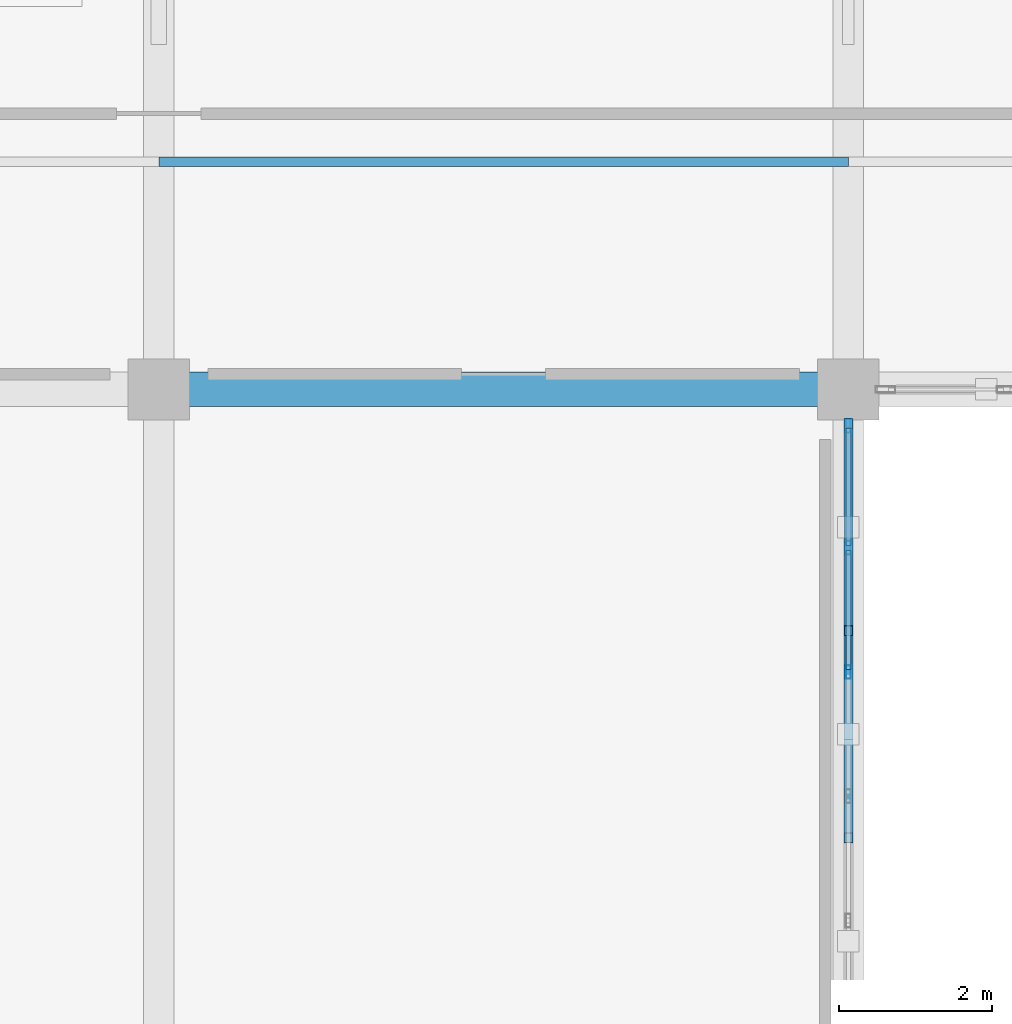
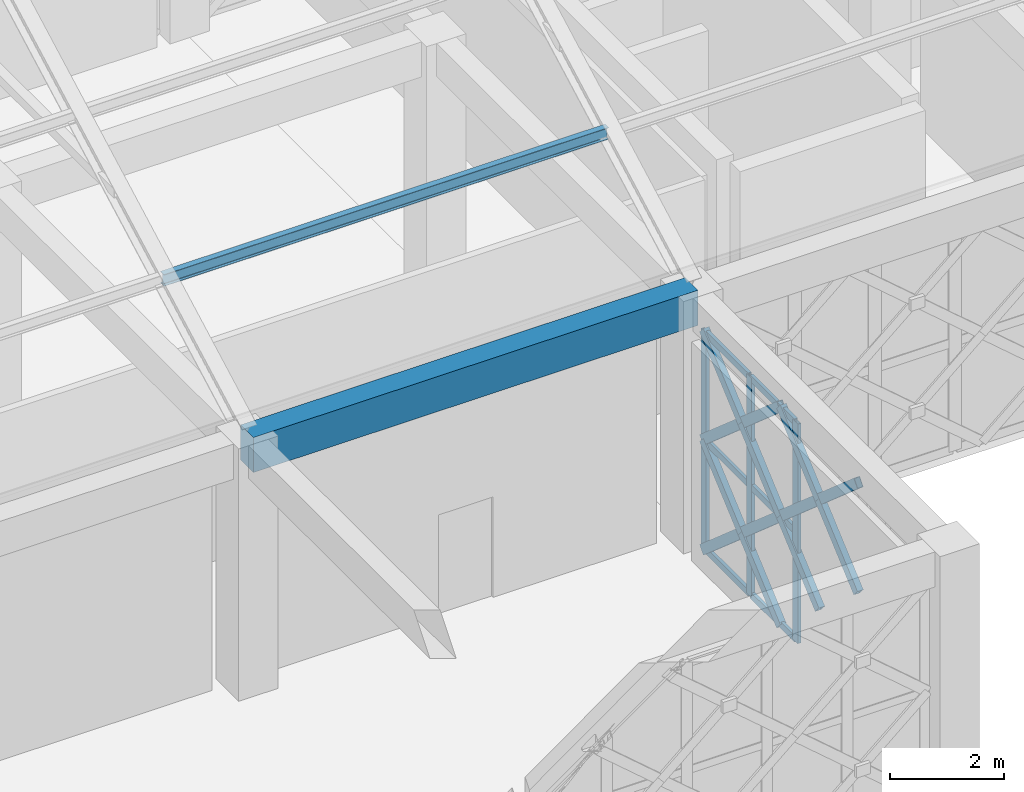
# One storey, part 50 of 86: 20 members, 1 beam, 1 element without a shape of its own.
"""IFC4 building model written with IfcOpenShell, lengths in metres."""

from ifc_helpers import new_model, si_unit, direction, frame, origin, origin_2d, place, context, subcontext, project, spatial, rectangle, hollow_rectangle, i_section, extrude, material, material_profile, profile_set, type_object, element, aggregate, save


model = new_model("IFC4")

# Units and contexts
model_context = context("Model", 3, precision=1e-05, world=origin(), true_north=direction((0.0, 1.0)))
body_context = subcontext(model_context, "Body", "Model", "MODEL_VIEW")
ifc_project = project(units=[si_unit("LENGTHUNIT", "METRE"), si_unit("AREAUNIT", "SQUARE_METRE"), si_unit("VOLUMEUNIT", "CUBIC_METRE"), si_unit("PLANEANGLEUNIT", "RADIAN"), si_unit("MASSUNIT", "GRAM", prefix="KILO")], contexts=[model_context])

# Site, building, storey
site_placement = place(None, origin())
site = spatial("IfcSite", under=ifc_project, at=site_placement, CompositionType="ELEMENT")
building_placement = place(site_placement, origin())
building = spatial("IfcBuilding", under=site, at=building_placement, Name="Haizhuo Lancet Aquarium", CompositionType="ELEMENT")
storey_placement = place(building_placement, frame((0.0, 0.0, 16.199951171875)))
storey = spatial("IfcBuildingStorey", under=building, at=storey_placement, Name="L03", CompositionType="ELEMENT", Elevation=16.199951171875)

# Beam
ifc_material_1 = material(Name="Concrete C40/50", Category="concrete")
ifc_material_profile_1 = material_profile(ifc_material_1, rectangle(XDim=0.449951171875, YDim=0.75, at=origin_2d()), Name="RC-BM 450x750")
ifc_profile_set_1 = profile_set([ifc_material_profile_1], Name="Concrete C40/50")
beam_type = type_object("IfcBeamType", Name="BM-RC-450x750", PredefinedType="BEAM", material=ifc_profile_set_1)
beam_placement = place(storey_placement, frame((45.0, -27.0, 5.025146484375), z_axis=(1.0, 0.0, 0.0), x_axis=(0.0, 1.0, 0.0)))
element("IfcBeam", 1, at=beam_placement, inside=storey, type_object=beam_type, Name="L03 V3 primary girder BM-L03-V3-017", PredefinedType="BEAM", context=body_context, shape_type="SweptSolid", body=[
    extrude(rectangle(XDim=0.449951171875, YDim=0.75, at=origin_2d()), origin(), (0.0, 0.0, 1.0), 9.0),
])

# Curtain wall, members
ifc_material_2 = material(Name="Aluminium 6063-T6", Category="aluminium")
curtain_wall_type = type_object("IfcCurtainWallType", Name="CWO-8110x4700", PredefinedType="NOTDEFINED", material=ifc_material_2)
curtain_wall_placement = place(storey_placement, origin())
curtain_wall = element("IfcCurtainWall", 2, at=curtain_wall_placement, inside=storey, type_object=curtain_wall_type, Name="L03 curtain wall CW-V3-L03-076", PredefinedType="NOTDEFINED")
ifc_material_profile_2 = material_profile(ifc_material_2, hollow_rectangle(XDim=0.06494140625, YDim=0.179931640625, WallThickness=0.00390625, at=origin_2d()), Name="ALU-M 65x180x4")
ifc_profile_set_2 = profile_set([ifc_material_profile_2], Name="Aluminium 6063-T6")
member_type_1 = type_object("IfcMemberType", Name="CW-MUL-1", PredefinedType="MULLION", material=ifc_profile_set_2)
member_1_placement = place(storey_placement, frame((54.0, -27.47705078125, 0.0), z_axis=(0.0, 0.0, 1.0), x_axis=(1.0, 0.0, 0.0)))
member_1 = element("IfcMember", 3, at=member_1_placement, type_object=member_type_1, Name="CWO-81x47 mullion 1", PredefinedType="MULLION", context=body_context, shape_type="SweptSolid", body=[
    extrude(hollow_rectangle(XDim=0.06494140625, YDim=0.179931640625, WallThickness=0.00390625, at=origin_2d()), origin(), (0.0, 0.0, 1.0), 4.699951171875),
])
member_2_placement = place(storey_placement, frame((54.0, -29.06689453125, 0.0), z_axis=(0.0, 0.0, 1.0), x_axis=(1.0, 0.0, 0.0)))
member_2 = element("IfcMember", 4, at=member_2_placement, type_object=member_type_1, Name="CWO-81x47 mullion 2", PredefinedType="MULLION", context=body_context, shape_type="SweptSolid", body=[
    extrude(hollow_rectangle(XDim=0.06494140625, YDim=0.179931640625, WallThickness=0.00390625, at=origin_2d()), origin(), (0.0, 0.0, 1.0), 4.699951171875),
])
member_3_placement = place(storey_placement, frame((54.0, -30.68896484375, 0.0), z_axis=(0.0, 0.0, 1.0), x_axis=(1.0, 0.0, 0.0)))
member_3 = element("IfcMember", 5, at=member_3_placement, type_object=member_type_1, Name="CWO-81x47 mullion 3", PredefinedType="MULLION", context=body_context, shape_type="SweptSolid", body=[
    extrude(hollow_rectangle(XDim=0.06494140625, YDim=0.179931640625, WallThickness=0.00390625, at=origin_2d()), origin(), (0.0, 0.0, 1.0), 4.699951171875),
])
ifc_material_profile_3 = material_profile(ifc_material_2, hollow_rectangle(XDim=0.06494140625, YDim=0.139892578125, WallThickness=0.00390625, at=origin_2d()), Name="ALU-T 65x140x4")
ifc_profile_set_3 = profile_set([ifc_material_profile_3], Name="Aluminium 6063-T6")
member_type_2 = type_object("IfcMemberType", Name="CW-TRN-1", PredefinedType="NOTDEFINED", material=ifc_profile_set_3)
member_4_placement = place(storey_placement, frame((54.0, -27.510009765625, 0.031982421875), z_axis=(0.0, -1.0, 0.0), x_axis=(1.0, 0.0, 0.0)))
member_4 = element("IfcMember", 6, at=member_4_placement, type_object=member_type_2, Name="CWO-81x47 transom 1.1", ObjectType="TRANSOM", PredefinedType="USERDEFINED", context=body_context, shape_type="SweptSolid", body=[
    extrude(hollow_rectangle(XDim=0.06494140625, YDim=0.139892578125, WallThickness=0.00390625, at=origin_2d()), origin(), (0.0, 0.0, 1.0), 1.52490234375),
])
member_5_placement = place(storey_placement, frame((54.0, -27.510009765625, 2.35009765625), z_axis=(0.0, -1.0, 0.0), x_axis=(1.0, 0.0, 0.0)))
member_5 = element("IfcMember", 7, at=member_5_placement, type_object=member_type_2, Name="CWO-81x47 transom 1.2", ObjectType="TRANSOM", PredefinedType="USERDEFINED", context=body_context, shape_type="SweptSolid", body=[
    extrude(hollow_rectangle(XDim=0.06494140625, YDim=0.139892578125, WallThickness=0.00390625, at=origin_2d()), origin(), (0.0, 0.0, 1.0), 1.52490234375),
])
member_6_placement = place(storey_placement, frame((54.0, -27.510009765625, 4.6669921875), z_axis=(0.0, -1.0, 0.0), x_axis=(1.0, 0.0, 0.0)))
member_6 = element("IfcMember", 8, at=member_6_placement, type_object=member_type_2, Name="CWO-81x47 transom 1.3", ObjectType="TRANSOM", PredefinedType="USERDEFINED", context=body_context, shape_type="SweptSolid", body=[
    extrude(hollow_rectangle(XDim=0.06494140625, YDim=0.139892578125, WallThickness=0.00390625, at=origin_2d()), origin(), (0.0, 0.0, 1.0), 1.52490234375),
])
member_7_placement = place(storey_placement, frame((54.0, -29.09912109375, 0.031982421875), z_axis=(0.0, -1.0, 0.0), x_axis=(1.0, 0.0, 0.0)))
member_7 = element("IfcMember", 9, at=member_7_placement, type_object=member_type_2, Name="CWO-81x47 transom 2.1", ObjectType="TRANSOM", PredefinedType="USERDEFINED", context=body_context, shape_type="SweptSolid", body=[
    extrude(hollow_rectangle(XDim=0.06494140625, YDim=0.139892578125, WallThickness=0.00390625, at=origin_2d()), origin(), (0.0, 0.0, 1.0), 1.557861328125),
])
member_8_placement = place(storey_placement, frame((54.0, -29.09912109375, 2.35009765625), z_axis=(0.0, -1.0, 0.0), x_axis=(1.0, 0.0, 0.0)))
member_8 = element("IfcMember", 10, at=member_8_placement, type_object=member_type_2, Name="CWO-81x47 transom 2.2", ObjectType="TRANSOM", PredefinedType="USERDEFINED", context=body_context, shape_type="SweptSolid", body=[
    extrude(hollow_rectangle(XDim=0.06494140625, YDim=0.139892578125, WallThickness=0.00390625, at=origin_2d()), origin(), (0.0, 0.0, 1.0), 1.557861328125),
])
member_9_placement = place(storey_placement, frame((54.0, -29.09912109375, 4.6669921875), z_axis=(0.0, -1.0, 0.0), x_axis=(1.0, 0.0, 0.0)))
member_9 = element("IfcMember", 11, at=member_9_placement, type_object=member_type_2, Name="CWO-81x47 transom 2.3", ObjectType="TRANSOM", PredefinedType="USERDEFINED", context=body_context, shape_type="SweptSolid", body=[
    extrude(hollow_rectangle(XDim=0.06494140625, YDim=0.139892578125, WallThickness=0.00390625, at=origin_2d()), origin(), (0.0, 0.0, 1.0), 1.557861328125),
])
aggregate(curtain_wall, [member_1, member_2, member_3, member_4, member_5, member_6, member_7, member_8, member_9])

# Members
ifc_material_3 = material(Name="Steel S355", Category="steel")
ifc_material_profile_4 = material_profile(ifc_material_3, hollow_rectangle(XDim=0.1201171875, YDim=0.199951171875, WallThickness=0.008056640625, at=origin_2d()), Name="RHS 120x200x8")
ifc_profile_set_4 = profile_set([ifc_material_profile_4], Name="Steel S355")
member_type_3 = type_object("IfcMemberType", Name="MEM-LB-RHS120x200", PredefinedType="BRACE", material=ifc_profile_set_4)
member_10_placement = place(storey_placement, frame((54.0, -27.445068359375, 0.0), z_axis=(0.0, -0.754637805349, 0.656141587417), x_axis=(1.0, 0.0, 0.0)))
element("IfcMember", 12, at=member_10_placement, inside=storey, type_object=member_type_3, Name="Gothic lancet continuous diagonal brace CW-V3-L03-076 1A", PredefinedType="BRACE", context=body_context, shape_type="SweptSolid", body=[
    extrude(hollow_rectangle(XDim=0.1201171875, YDim=0.199951171875, WallThickness=0.008056640625, at=origin_2d()), origin(), (0.0, 0.0, 1.0), 3.581787109375),
])
member_11_placement = place(storey_placement, frame((54.0, -30.14794921875, 0.0), z_axis=(0.0, 0.754491019428, 0.656310369873), x_axis=(-1.0, 0.0, 0.0)))
element("IfcMember", 13, at=member_11_placement, inside=storey, type_object=member_type_3, Name="Gothic lancet split diagonal brace CW-V3-L03-076 1B1", PredefinedType="BRACE", context=body_context, shape_type="SweptSolid", body=[
    extrude(hollow_rectangle(XDim=0.1201171875, YDim=0.199951171875, WallThickness=0.008056640625, at=origin_2d()), origin(), (0.0, 0.0, 1.0), 1.790283203125),
])
member_12_placement = place(storey_placement, frame((54.0, -28.797119140625, 1.175048828125), z_axis=(0.0, 0.754784478057, 0.655972858954), x_axis=(-1.0, 0.0, 0.0)))
element("IfcMember", 14, at=member_12_placement, inside=storey, type_object=member_type_3, Name="Gothic lancet split diagonal brace CW-V3-L03-076 1B2", PredefinedType="BRACE", context=body_context, shape_type="SweptSolid", body=[
    extrude(hollow_rectangle(XDim=0.1201171875, YDim=0.199951171875, WallThickness=0.008056640625, at=origin_2d()), origin(), (0.0, 0.0, 1.0), 1.791259765625),
])
member_13_placement = place(storey_placement, frame((54.0, -27.445068359375, 2.35009765625), z_axis=(0.0, -0.754671556952, 0.6561027672), x_axis=(1.0, 0.0, 0.0)))
element("IfcMember", 15, at=member_13_placement, inside=storey, type_object=member_type_3, Name="Gothic lancet continuous diagonal brace CW-V3-L03-076 2A", PredefinedType="BRACE", context=body_context, shape_type="SweptSolid", body=[
    extrude(hollow_rectangle(XDim=0.1201171875, YDim=0.199951171875, WallThickness=0.008056640625, at=origin_2d()), origin(), (0.0, 0.0, 1.0), 3.58154296875),
])
member_14_placement = place(storey_placement, frame((54.0, -30.14794921875, 2.35009765625), z_axis=(0.0, 0.754491019428, 0.656310369873), x_axis=(-1.0, 0.0, 0.0)))
element("IfcMember", 16, at=member_14_placement, inside=storey, type_object=member_type_3, Name="Gothic lancet split diagonal brace CW-V3-L03-076 2B1", PredefinedType="BRACE", context=body_context, shape_type="SweptSolid", body=[
    extrude(hollow_rectangle(XDim=0.1201171875, YDim=0.199951171875, WallThickness=0.008056640625, at=origin_2d()), origin(), (0.0, 0.0, 1.0), 1.790283203125),
])
for number, where, z_axis, x_axis, name in (
    (17, (54.0, -28.797119140625, 3.525146484375), (0.0, 0.754851960681, 0.655895203105), (-1.0, 0.0, 0.0), "Gothic lancet split diagonal brace CW-V3-L03-076 2B2"),
    (18, (54.0, -31.5, 1.175048828125), (0.0, 0.754784478057, 0.655972858954), (-1.0, 0.0, 0.0), "Gothic lancet split diagonal brace CW-V3-L03-076 3B2"),
):
    element("IfcMember", number, at=place(storey_placement, frame(where, z_axis=z_axis, x_axis=x_axis)), inside=storey, type_object=member_type_3, Name=name, PredefinedType="BRACE", context=body_context, shape_type="SweptSolid", body=[
        extrude(hollow_rectangle(XDim=0.1201171875, YDim=0.199951171875, WallThickness=0.008056640625, at=origin_2d()), origin(), (0.0, 0.0, 1.0), 1.791259765625),
    ])
member_15_placement = place(storey_placement, frame((54.0, -30.14794921875, 2.35009765625), z_axis=(0.0, -0.754818218859, 0.655934033633), x_axis=(1.0, 0.0, 0.0)))
element("IfcMember", 19, at=member_15_placement, inside=storey, type_object=member_type_3, Name="Gothic lancet continuous diagonal brace CW-V3-L03-076 4A", PredefinedType="BRACE", context=body_context, shape_type="SweptSolid", body=[
    extrude(hollow_rectangle(XDim=0.1201171875, YDim=0.199951171875, WallThickness=0.008056640625, at=origin_2d()), origin(), (0.0, 0.0, 1.0), 3.58251953125),
])
for number, where, z_axis, x_axis, name in (
    (20, (54.0, -32.85205078125, 2.35009765625), (0.0, 0.754784478057, 0.655972858954), (-1.0, 0.0, 0.0), "Gothic lancet split diagonal brace CW-V3-L03-076 4B1"),
    (21, (54.0, -31.5, 3.525146484375), (0.0, 0.754851960681, 0.655895203105), (-1.0, 0.0, 0.0), "Gothic lancet split diagonal brace CW-V3-L03-076 4B2"),
):
    element("IfcMember", number, at=place(storey_placement, frame(where, z_axis=z_axis, x_axis=x_axis)), inside=storey, type_object=member_type_3, Name=name, PredefinedType="BRACE", context=body_context, shape_type="SweptSolid", body=[
        extrude(hollow_rectangle(XDim=0.1201171875, YDim=0.199951171875, WallThickness=0.008056640625, at=origin_2d()), origin(), (0.0, 0.0, 1.0), 1.791259765625),
    ])
ifc_material_profile_5 = material_profile(ifc_material_3, i_section(OverallWidth=0.125, OverallDepth=0.25, WebThickness=0.006103515625, FlangeThickness=0.009033203125, FilletRadius=0.010009765625, at=origin_2d()), Name="HN 250x125x6x9")
ifc_profile_set_5 = profile_set([ifc_material_profile_5], Name="Steel S355")
member_type_4 = type_object("IfcMemberType", Name="MEM-PR-HN250", PredefinedType="PURLIN", material=ifc_profile_set_5)
member_16_placement = place(storey_placement, frame((45.0, -24.030029296875, 6.859130859375), z_axis=(1.0, 0.0, 0.0), x_axis=(0.0, 1.0, 0.0)))
element("IfcMember", 22, at=member_16_placement, inside=storey, type_object=member_type_4, Name="V3 south roof purlin 3", PredefinedType="PURLIN", context=body_context, shape_type="SweptSolid", body=[
    extrude(i_section(OverallWidth=0.125, OverallDepth=0.25, WebThickness=0.006103515625, FlangeThickness=0.009033203125, FilletRadius=0.010009765625, at=origin_2d()), origin(), (0.0, 0.0, 1.0), 9.0),
])

save(model, "model.ifc")
